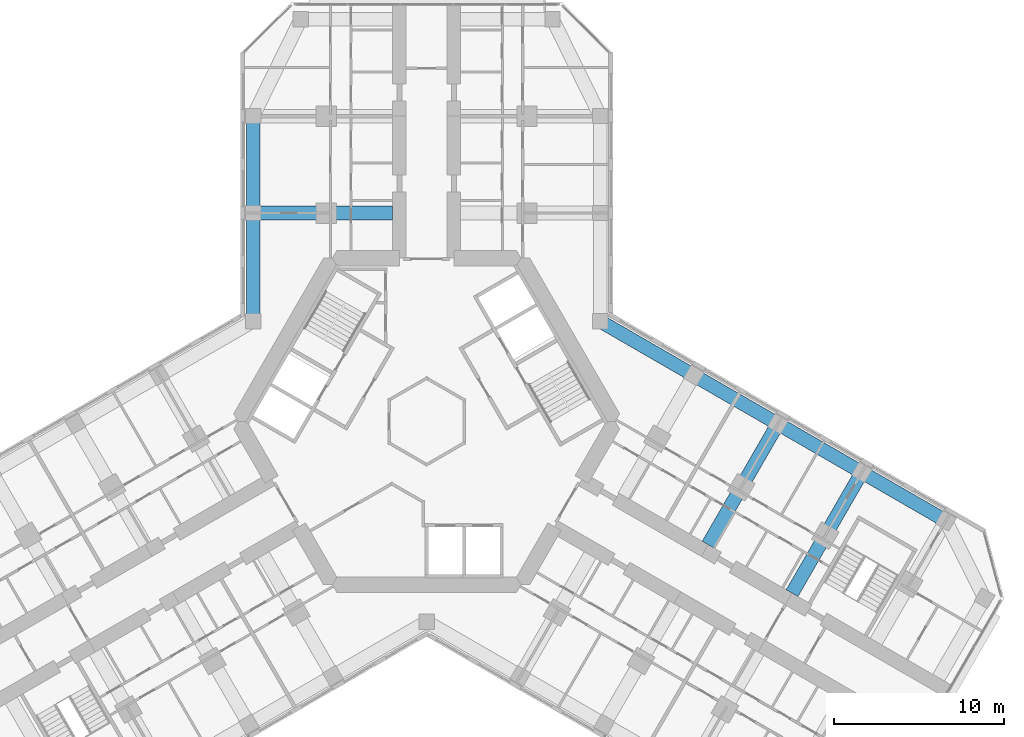
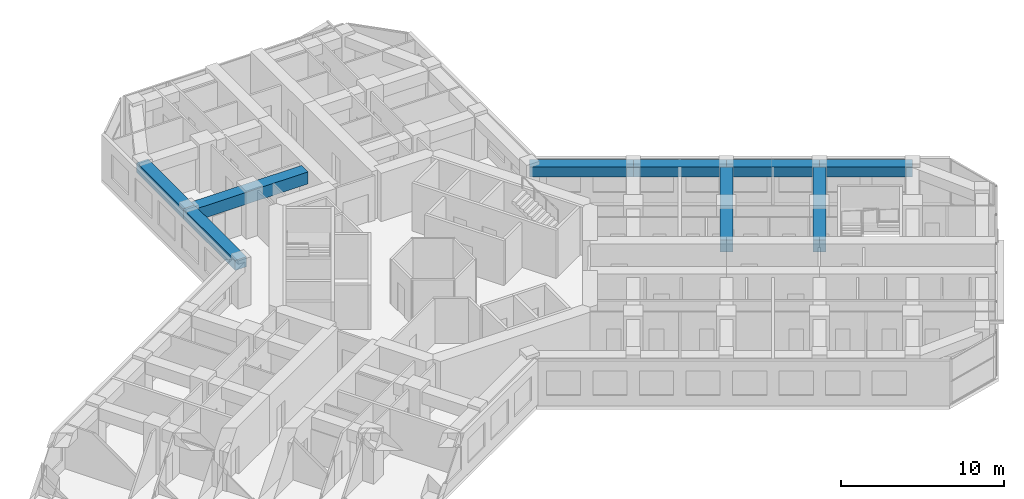
# One storey, part 6 of 20: 9 beams.
"""IFC4 building model written with IfcOpenShell, lengths in metres."""

from ifc_helpers import new_model, si_unit, direction, frame, origin, origin_2d, place, context, subcontext, project, spatial, rectangle, extrude, material, material_profile, profile_set, type_object, element, save


model = new_model("IFC4")

# Units and contexts
model_context = context("Model", 3, precision=1e-05, world=origin(), true_north=direction((0.0, 1.0)))
body_context = subcontext(model_context, "Body", "Model", "MODEL_VIEW")
ifc_project = project(units=[si_unit("LENGTHUNIT", "METRE"), si_unit("AREAUNIT", "SQUARE_METRE"), si_unit("VOLUMEUNIT", "CUBIC_METRE"), si_unit("PLANEANGLEUNIT", "RADIAN"), si_unit("MASSUNIT", "GRAM", prefix="KILO")], contexts=[model_context])

# Site, building, storey
site_placement = place(None, origin())
site = spatial("IfcSite", under=ifc_project, at=site_placement, CompositionType="ELEMENT")
building_placement = place(site_placement, origin())
building = spatial("IfcBuilding", under=site, at=building_placement, Name="Kosmar Iwan School Tower", CompositionType="ELEMENT")
storey_placement = place(building_placement, frame((0.0, 0.0, 179.60009765625)))
storey = spatial("IfcBuildingStorey", under=building, at=storey_placement, Name="L45", CompositionType="ELEMENT", Elevation=179.60009765625)

# Beams
ifc_material_1 = material(Name="Concrete C50/60", Category="concrete")
ifc_material_profile_1 = material_profile(ifc_material_1, rectangle(XDim=0.800048828125, YDim=0.75, at=origin_2d()), Name="RC 800x750")
ifc_profile_set_1 = profile_set([ifc_material_profile_1], Name="Concrete C50/60")
beam_type_1 = type_object("IfcBeamType", Name="RC edge beam 800x750", PredefinedType="BEAM", material=ifc_profile_set_1)
beam_1_placement = place(storey_placement, frame((-10.199951171875, 5.888916015625, 2.974853515625), z_axis=(0.0, 1.0, 0.0), x_axis=(-1.0, 0.0, 0.0)))
element("IfcBeam", 1, at=beam_1_placement, inside=storey, type_object=beam_type_1, Name="Edge beam AL1", PredefinedType="BEAM", context=body_context, shape_type="SweptSolid", body=[
    extrude(rectangle(XDim=0.800048828125, YDim=0.75, at=origin_2d()), origin(), (0.0, 0.0, 1.0), 6.361083984375),
])
beam_2_placement = place(storey_placement, frame((-10.199951171875, 12.25, 2.974853515625), z_axis=(0.0, 1.0, 0.0), x_axis=(-1.0, 0.0, 0.0)))
element("IfcBeam", 2, at=beam_2_placement, inside=storey, type_object=beam_type_1, Name="Edge beam AL2", PredefinedType="BEAM", context=body_context, shape_type="SweptSolid", body=[
    extrude(rectangle(XDim=0.800048828125, YDim=0.75, at=origin_2d()), origin(), (0.0, 0.0, 1.0), 5.699951171875),
])
beam_3_placement = place(storey_placement, frame((10.199951171875, 5.888916015625, 2.974853515625), z_axis=(0.866030912664, -0.49999045822, 0.0), x_axis=(0.49999045822, 0.866030912664, 0.0)))
element("IfcBeam", 3, at=beam_3_placement, inside=storey, type_object=beam_type_1, Name="Edge beam CL1", PredefinedType="BEAM", context=body_context, shape_type="SweptSolid", body=[
    extrude(rectangle(XDim=0.800048828125, YDim=0.75, at=origin_2d()), origin(), (0.0, 0.0, 1.0), 6.36083984375),
])
beam_4_placement = place(storey_placement, frame((15.708740234375, 2.70849609375, 2.974853515625), z_axis=(0.866025820012, -0.499999279071, 0.0), x_axis=(0.499999279071, 0.866025820012, 0.0)))
element("IfcBeam", 4, at=beam_4_placement, inside=storey, type_object=beam_type_1, Name="Edge beam CL2", PredefinedType="BEAM", context=body_context, shape_type="SweptSolid", body=[
    extrude(rectangle(XDim=0.800048828125, YDim=0.75, at=origin_2d()), origin(), (0.0, 0.0, 1.0), 5.7001953125),
])
for number, where, z_axis, x_axis, name in (
    (5, (20.645263671875, -0.1416015625, 2.974853515625), (0.866033658841, -0.49998570155, 0.0), (0.49998570155, 0.866033658841, 0.0), "Edge beam CL3"),
    (6, (25.58154296875, -2.991455078125, 2.974853515625), (0.866015111908, -0.50001782563, 0.0), (0.50001782563, 0.866015111908, 0.0), "Edge beam CL4"),
):
    element("IfcBeam", number, at=place(storey_placement, frame(where, z_axis=z_axis, x_axis=x_axis)), inside=storey, type_object=beam_type_1, Name=name, PredefinedType="BEAM", context=body_context, shape_type="SweptSolid", body=[
        extrude(rectangle(XDim=0.800048828125, YDim=0.75, at=origin_2d()), origin(), (0.0, 0.0, 1.0), 5.699951171875),
    ])
ifc_material_2 = material(Name="Concrete C50/60", Category="concrete")
ifc_material_profile_2 = material_profile(ifc_material_2, rectangle(XDim=0.800048828125, YDim=0.89990234375, at=origin_2d()), Name="RC 800x900")
ifc_profile_set_2 = profile_set([ifc_material_profile_2], Name="Concrete C50/60")
beam_type_2 = type_object("IfcBeamType", Name="RC transverse beam 800x900", PredefinedType="BEAM", material=ifc_profile_set_2)
for number, where, z_axis, x_axis, name in (
    (7, (-10.199951171875, 12.25, 2.89990234375), (1.0, 0.0, 0.0), (0.0, 1.0, 0.0), "Transverse beam AL1"),
    (8, (20.645263671875, -0.1416015625, 2.89990234375), (-0.500013681986, -0.866017504342, 0.0), (0.866017504342, -0.500013681986, 0.0), "Transverse beam CL2"),
):
    element("IfcBeam", number, at=place(storey_placement, frame(where, z_axis=z_axis, x_axis=x_axis)), inside=storey, type_object=beam_type_2, Name=name, PredefinedType="BEAM", context=body_context, shape_type="SweptSolid", body=[
        extrude(rectangle(XDim=0.800048828125, YDim=0.89990234375, at=origin_2d()), origin(), (0.0, 0.0, 1.0), 8.199951171875),
    ])
beam_5_placement = place(storey_placement, frame((25.58154296875, -2.991455078125, 2.89990234375), z_axis=(-0.500000789788, -0.8660249478, 0.0), x_axis=(0.8660249478, -0.500000789788, 0.0)))
element("IfcBeam", 9, at=beam_5_placement, inside=storey, type_object=beam_type_2, Name="Transverse beam CL3", PredefinedType="BEAM", context=body_context, shape_type="SweptSolid", body=[
    extrude(rectangle(XDim=0.800048828125, YDim=0.89990234375, at=origin_2d()), origin(), (0.0, 0.0, 1.0), 8.2001953125),
])

save(model, "model.ifc")
